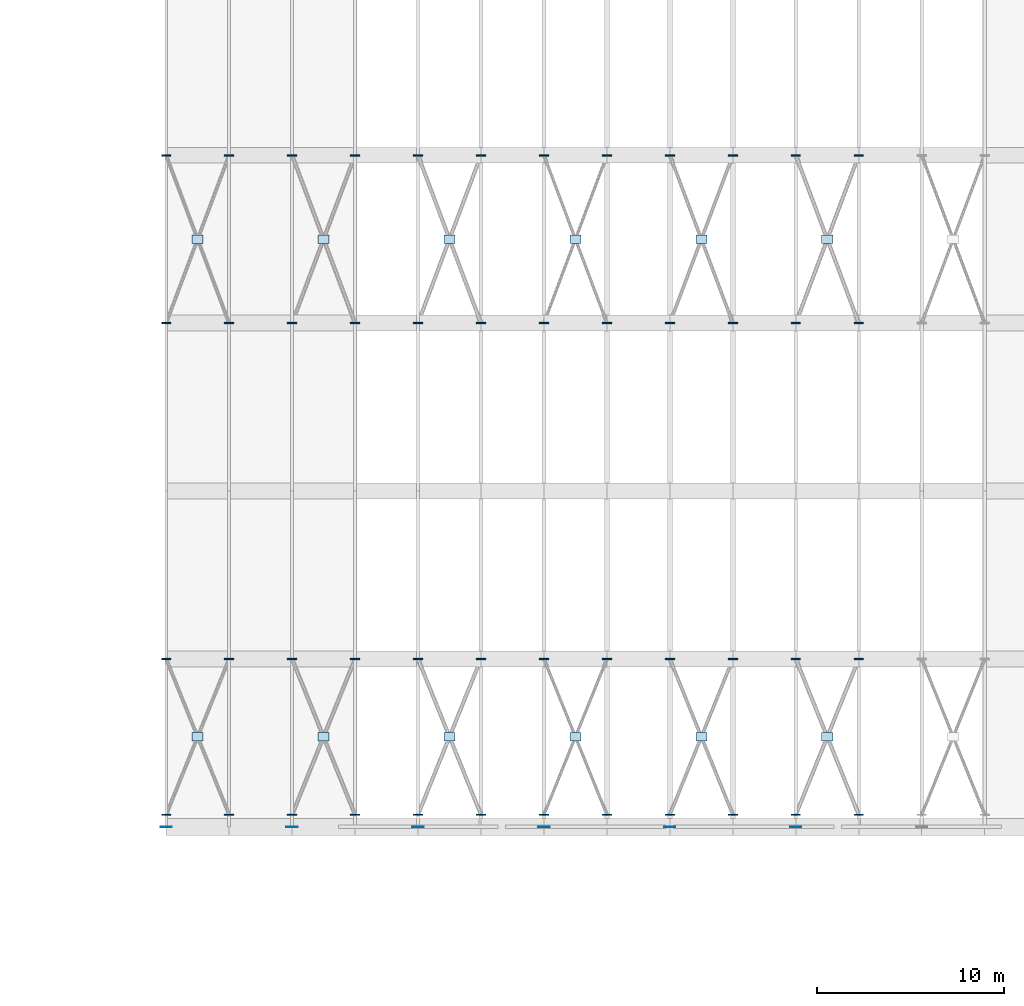
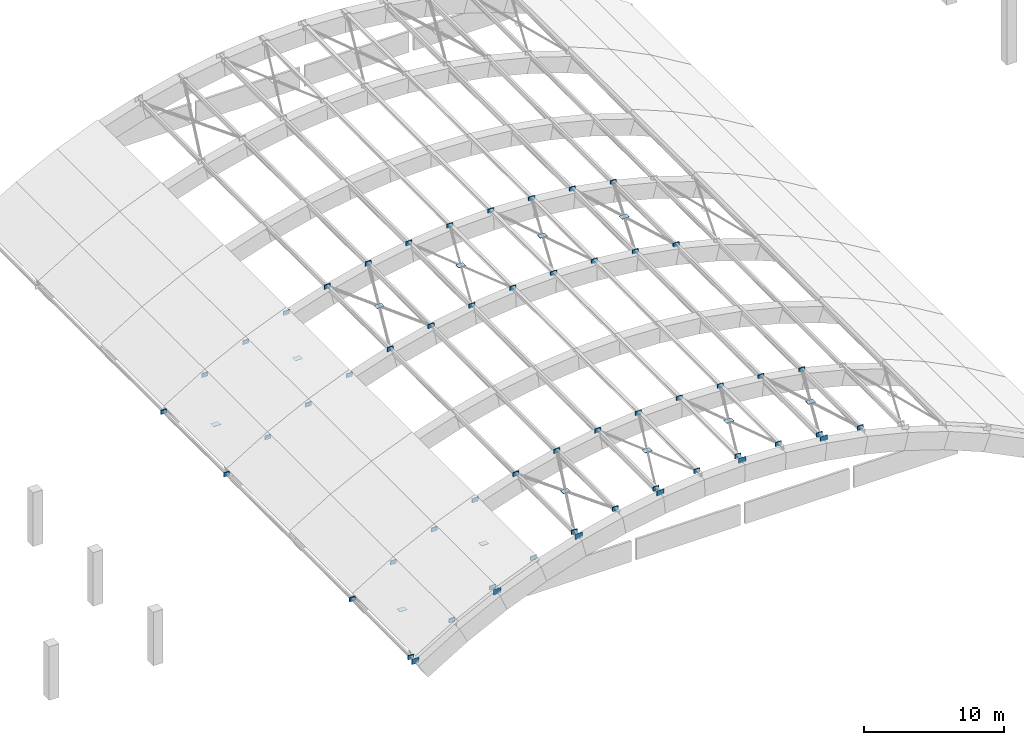
# One storey, part 19 of 30: 66 plates.
"""IFC4 building model written with IfcOpenShell, lengths in metres."""

from ifc_helpers import new_model, si_unit, direction, frame, origin, origin_2d, place, context, subcontext, project, spatial, rectangle, extrude, material, layer, layer_set, type_object, element, save


model = new_model("IFC4")

# Units and contexts
model_context = context("Model", 3, precision=1e-05, world=origin(), true_north=direction((0.0, 1.0)))
body_context = subcontext(model_context, "Body", "Model", "MODEL_VIEW")
ifc_project = project(units=[si_unit("LENGTHUNIT", "METRE"), si_unit("AREAUNIT", "SQUARE_METRE"), si_unit("VOLUMEUNIT", "CUBIC_METRE"), si_unit("PLANEANGLEUNIT", "RADIAN"), si_unit("MASSUNIT", "GRAM", prefix="KILO")], contexts=[model_context])

# Site, building, storey
site_placement = place(None, origin())
site = spatial("IfcSite", under=ifc_project, at=site_placement, CompositionType="ELEMENT")
building_placement = place(site_placement, origin())
building = spatial("IfcBuilding", under=site, at=building_placement, Name="Ornek Quay Market", CompositionType="ELEMENT")
storey_placement = place(building_placement, frame((0.0, 0.0, 12.0)))
storey = spatial("IfcBuildingStorey", under=building, at=storey_placement, Name="L03", CompositionType="ELEMENT", Elevation=12.0)

# Plates
ifc_material = material(Name="Steel S355", Category="steel")
ifc_layer_1 = layer(ifc_material, 0.02001953125, Name="Steel S355", Category="steel")
ifc_layer_set_1 = layer_set([ifc_layer_1], Name="Steel S355")
plate_type_1 = type_object("IfcPlateType", Name="PL-FLG-500x350x20", PredefinedType="USERDEFINED", material=ifc_layer_set_1)
for number, where, z_axis, x_axis, name in (
    (1, (63.0, 29.64990234375, -3.054931640625), (0.0, 0.0, 1.0), (1.0, 0.0, 0.0), "Vault brace end connection plate CP-1011"),
    (2, (66.375, 38.0, -1.01953125), (0.0, 0.0, 1.0), (1.0, 0.0, 0.0), "Vault brace end connection plate CP-1012"),
    (3, (66.375, 29.64990234375, -1.01953125), (0.0, 0.0, 1.0), (1.0, 0.0, 0.0), "Vault brace end connection plate CP-1013"),
    (4, (63.0, 38.0, -3.054931640625), (0.0, 0.0, 1.0), (1.0, 0.0, 0.0), "Vault brace end connection plate CP-1014"),
    (5, (69.75, 29.64990234375, 0.669677734375), (0.0, 0.0, 1.0), (1.0, 0.0, 0.0), "Vault brace end connection plate CP-1031"),
    (6, (73.125, 38.0, 2.05078125), (0.0, 0.0, 1.0), (1.0, 0.0, 0.0), "Vault brace end connection plate CP-1032"),
    (7, (73.125, 29.64990234375, 2.05078125), (0.0, 0.0, 1.0), (1.0, 0.0, 0.0), "Vault brace end connection plate CP-1033"),
    (8, (69.75, 38.0, 0.669677734375), (0.0, 0.0, 1.0), (1.0, 0.0, 0.0), "Vault brace end connection plate CP-1034"),
    (9, (76.5, 29.64990234375, 3.150634765625), (0.0, 0.0, 1.0), (1.0, 0.0, 0.0), "Vault brace end connection plate CP-1051"),
    (10, (79.875, 38.0, 3.988525390625), (0.0, 0.0, 1.0), (1.0, 0.0, 0.0), "Vault brace end connection plate CP-1052"),
    (11, (79.875, 29.64990234375, 3.988525390625), (0.0, 0.0, 1.0), (1.0, 0.0, 0.0), "Vault brace end connection plate CP-1053"),
    (12, (76.5, 38.0, 3.150634765625), (0.0, 0.0, 1.0), (1.0, 0.0, 0.0), "Vault brace end connection plate CP-1054"),
    (13, (83.25, 29.64990234375, 4.578369140625), (0.0, 0.0, 1.0), (1.0, 0.0, 0.0), "Vault brace end connection plate CP-1071"),
    (14, (86.625, 38.0, 4.9287109375), (0.0, 0.0, 1.0), (1.0, 0.0, 0.0), "Vault brace end connection plate CP-1072"),
    (15, (86.625, 29.64990234375, 4.9287109375), (0.0, 0.0, 1.0), (1.0, 0.0, 0.0), "Vault brace end connection plate CP-1073"),
    (16, (83.25, 38.0, 4.578369140625), (0.0, 0.0, 1.0), (1.0, 0.0, 0.0), "Vault brace end connection plate CP-1074"),
    (17, (90.0, 29.64990234375, 5.044921875), (0.0, 0.0, 1.0), (1.0, 0.0, 0.0), "Vault brace end connection plate CP-1091"),
    (18, (93.375, 38.0, 4.9287109375), (0.0, 0.0, 1.0), (1.0, 0.0, 0.0), "Vault brace end connection plate CP-1092"),
    (19, (93.375, 29.64990234375, 4.9287109375), (0.0, 0.0, 1.0), (1.0, 0.0, 0.0), "Vault brace end connection plate CP-1093"),
    (20, (90.0, 38.0, 5.044921875), (0.0, 0.0, 1.0), (1.0, 0.0, 0.0), "Vault brace end connection plate CP-1094"),
    (21, (96.75, 29.64990234375, 4.578369140625), (0.0, 0.0, 1.0), (1.0, 0.0, 0.0), "Vault brace end connection plate CP-1111"),
    (22, (100.125, 38.0, 3.988525390625), (0.0, 0.0, 1.0), (1.0, 0.0, 0.0), "Vault brace end connection plate CP-1112"),
    (23, (100.125, 29.64990234375, 3.988525390625), (0.0, 0.0, 1.0), (1.0, 0.0, 0.0), "Vault brace end connection plate CP-1113"),
    (24, (96.75, 38.0, 4.578369140625), (0.0, 0.0, 1.0), (1.0, 0.0, 0.0), "Vault brace end connection plate CP-1114"),
    (25, (63.0, 56.0, -3.054931640625), (0.0, 0.0, 1.0), (1.0, 0.0, 0.0), "Vault brace end connection plate CP-4011"),
    (26, (66.375, 65.0, -1.01953125), (0.0, 0.0, 1.0), (1.0, 0.0, 0.0), "Vault brace end connection plate CP-4012"),
    (27, (66.375, 56.0, -1.01953125), (0.0, 0.0, 1.0), (1.0, 0.0, 0.0), "Vault brace end connection plate CP-4013"),
    (28, (63.0, 65.0, -3.054931640625), (0.0, 0.0, 1.0), (1.0, 0.0, 0.0), "Vault brace end connection plate CP-4014"),
    (29, (69.75, 56.0, 0.669677734375), (0.0, 0.0, 1.0), (1.0, 0.0, 0.0), "Vault brace end connection plate CP-4031"),
    (30, (73.125, 65.0, 2.05078125), (0.0, 0.0, 1.0), (1.0, 0.0, 0.0), "Vault brace end connection plate CP-4032"),
    (31, (73.125, 56.0, 2.05078125), (0.0, 0.0, 1.0), (1.0, 0.0, 0.0), "Vault brace end connection plate CP-4033"),
    (32, (69.75, 65.0, 0.669677734375), (0.0, 0.0, 1.0), (1.0, 0.0, 0.0), "Vault brace end connection plate CP-4034"),
    (33, (76.5, 56.0, 3.150634765625), (0.0, 0.0, 1.0), (1.0, 0.0, 0.0), "Vault brace end connection plate CP-4051"),
    (34, (79.875, 65.0, 3.988525390625), (0.0, 0.0, 1.0), (1.0, 0.0, 0.0), "Vault brace end connection plate CP-4052"),
    (35, (79.875, 56.0, 3.988525390625), (0.0, 0.0, 1.0), (1.0, 0.0, 0.0), "Vault brace end connection plate CP-4053"),
    (36, (76.5, 65.0, 3.150634765625), (0.0, 0.0, 1.0), (1.0, 0.0, 0.0), "Vault brace end connection plate CP-4054"),
    (37, (83.25, 56.0, 4.578369140625), (0.0, 0.0, 1.0), (1.0, 0.0, 0.0), "Vault brace end connection plate CP-4071"),
    (38, (86.625, 65.0, 4.9287109375), (0.0, 0.0, 1.0), (1.0, 0.0, 0.0), "Vault brace end connection plate CP-4072"),
    (39, (86.625, 56.0, 4.9287109375), (0.0, 0.0, 1.0), (1.0, 0.0, 0.0), "Vault brace end connection plate CP-4073"),
    (40, (83.25, 65.0, 4.578369140625), (0.0, 0.0, 1.0), (1.0, 0.0, 0.0), "Vault brace end connection plate CP-4074"),
    (41, (90.0, 56.0, 5.044921875), (0.0, 0.0, 1.0), (1.0, 0.0, 0.0), "Vault brace end connection plate CP-4091"),
    (42, (93.375, 65.0, 4.9287109375), (0.0, 0.0, 1.0), (1.0, 0.0, 0.0), "Vault brace end connection plate CP-4092"),
    (43, (93.375, 56.0, 4.9287109375), (0.0, 0.0, 1.0), (1.0, 0.0, 0.0), "Vault brace end connection plate CP-4093"),
    (44, (90.0, 65.0, 5.044921875), (0.0, 0.0, 1.0), (1.0, 0.0, 0.0), "Vault brace end connection plate CP-4094"),
    (45, (96.75, 56.0, 4.578369140625), (0.0, 0.0, 1.0), (1.0, 0.0, 0.0), "Vault brace end connection plate CP-4111"),
    (46, (100.125, 65.0, 3.988525390625), (0.0, 0.0, 1.0), (1.0, 0.0, 0.0), "Vault brace end connection plate CP-4112"),
    (47, (100.125, 56.0, 3.988525390625), (0.0, 0.0, 1.0), (1.0, 0.0, 0.0), "Vault brace end connection plate CP-4113"),
    (48, (96.75, 65.0, 4.578369140625), (0.0, 0.0, 1.0), (1.0, 0.0, 0.0), "Vault brace end connection plate CP-4114"),
):
    element("IfcPlate", number, at=place(storey_placement, frame(where, z_axis=z_axis, x_axis=x_axis)), inside=storey, type_object=plate_type_1, Name=name, ObjectType="FLANGE PLATE", PredefinedType="USERDEFINED", context=body_context, shape_type="SweptSolid", body=[
        extrude(rectangle(XDim=0.5, YDim=0.080078125, at=origin_2d()), origin(), (0.0, 0.0, 1.0), 0.35009765625),
    ])
ifc_layer_2 = layer(ifc_material, 0.02490234375, Name="Steel S355", Category="steel")
ifc_layer_set_2 = layer_set([ifc_layer_2], Name="Steel S355")
plate_type_2 = type_object("IfcPlateType", Name="PL-GUS-600x450x25", PredefinedType="USERDEFINED", material=ifc_layer_set_2)
for number, where, z_axis, x_axis, name in (
    (49, (63.0, 29.0, -3.0751953125), (0.0, 0.0, 1.0), (1.0, 0.0, 0.0), "Vault gusset plate D-00"),
    (50, (69.75, 29.0, 0.64990234375), (0.0, 0.0, 1.0), (1.0, 0.0, 0.0), "Vault gusset plate D-02"),
    (51, (76.5, 29.0, 3.130859375), (0.0, 0.0, 1.0), (1.0, 0.0, 0.0), "Vault gusset plate D-04"),
    (52, (83.25, 29.0, 4.55810546875), (0.0, 0.0, 1.0), (1.0, 0.0, 0.0), "Vault gusset plate D-06"),
    (53, (90.0, 29.0, 5.02490234375), (0.0, 0.0, 1.0), (1.0, 0.0, 0.0), "Vault gusset plate D-08"),
    (54, (96.75, 29.0, 4.55810546875), (0.0, 0.0, 1.0), (1.0, 0.0, 0.0), "Vault gusset plate D-10"),
):
    element("IfcPlate", number, at=place(storey_placement, frame(where, z_axis=z_axis, x_axis=x_axis)), inside=storey, type_object=plate_type_2, Name=name, ObjectType="GUSSET PLATE", PredefinedType="USERDEFINED", context=body_context, shape_type="SweptSolid", body=[
        extrude(rectangle(XDim=0.60009765625, YDim=0.02490234375, at=origin_2d()), origin(), (0.0, 0.0, 1.0), 0.449951171875),
    ])
for number, where, z_axis, x_axis, name in (
    (55, (64.6875, 33.824951171875, -1.874755859375), (0.0, 0.0, 1.0), (1.0, 0.0, 0.0), "Vault X-brace crossing gusset GP-X101"),
    (56, (71.4375, 33.824951171875, 1.52294921875), (0.0, 0.0, 1.0), (1.0, 0.0, 0.0), "Vault X-brace crossing gusset GP-X103"),
    (57, (78.1875, 33.824951171875, 3.732177734375), (0.0, 0.0, 1.0), (1.0, 0.0, 0.0), "Vault X-brace crossing gusset GP-X105"),
    (58, (84.9375, 33.824951171875, 4.916259765625), (0.0, 0.0, 1.0), (1.0, 0.0, 0.0), "Vault X-brace crossing gusset GP-X107"),
    (59, (91.6875, 33.824951171875, 5.1494140625), (0.0, 0.0, 1.0), (1.0, 0.0, 0.0), "Vault X-brace crossing gusset GP-X109"),
    (60, (98.4375, 33.824951171875, 4.446044921875), (0.0, 0.0, 1.0), (1.0, 0.0, 0.0), "Vault X-brace crossing gusset GP-X111"),
    (61, (64.6875, 60.5, -1.874755859375), (0.0, 0.0, 1.0), (1.0, 0.0, 0.0), "Vault X-brace crossing gusset GP-X401"),
    (62, (71.4375, 60.5, 1.52294921875), (0.0, 0.0, 1.0), (1.0, 0.0, 0.0), "Vault X-brace crossing gusset GP-X403"),
    (63, (78.1875, 60.5, 3.732177734375), (0.0, 0.0, 1.0), (1.0, 0.0, 0.0), "Vault X-brace crossing gusset GP-X405"),
    (64, (84.9375, 60.5, 4.916259765625), (0.0, 0.0, 1.0), (1.0, 0.0, 0.0), "Vault X-brace crossing gusset GP-X407"),
    (65, (91.6875, 60.5, 5.1494140625), (0.0, 0.0, 1.0), (1.0, 0.0, 0.0), "Vault X-brace crossing gusset GP-X409"),
    (66, (98.4375, 60.5, 4.446044921875), (0.0, 0.0, 1.0), (1.0, 0.0, 0.0), "Vault X-brace crossing gusset GP-X411"),
):
    element("IfcPlate", number, at=place(storey_placement, frame(where, z_axis=z_axis, x_axis=x_axis)), inside=storey, type_object=plate_type_2, Name=name, ObjectType="GUSSET PLATE", PredefinedType="USERDEFINED", context=body_context, shape_type="SweptSolid", body=[
        extrude(rectangle(XDim=0.60009765625, YDim=0.449951171875, at=origin_2d()), origin(), (0.0, 0.0, 1.0), 0.02490234375),
    ])

save(model, "model.ifc")
